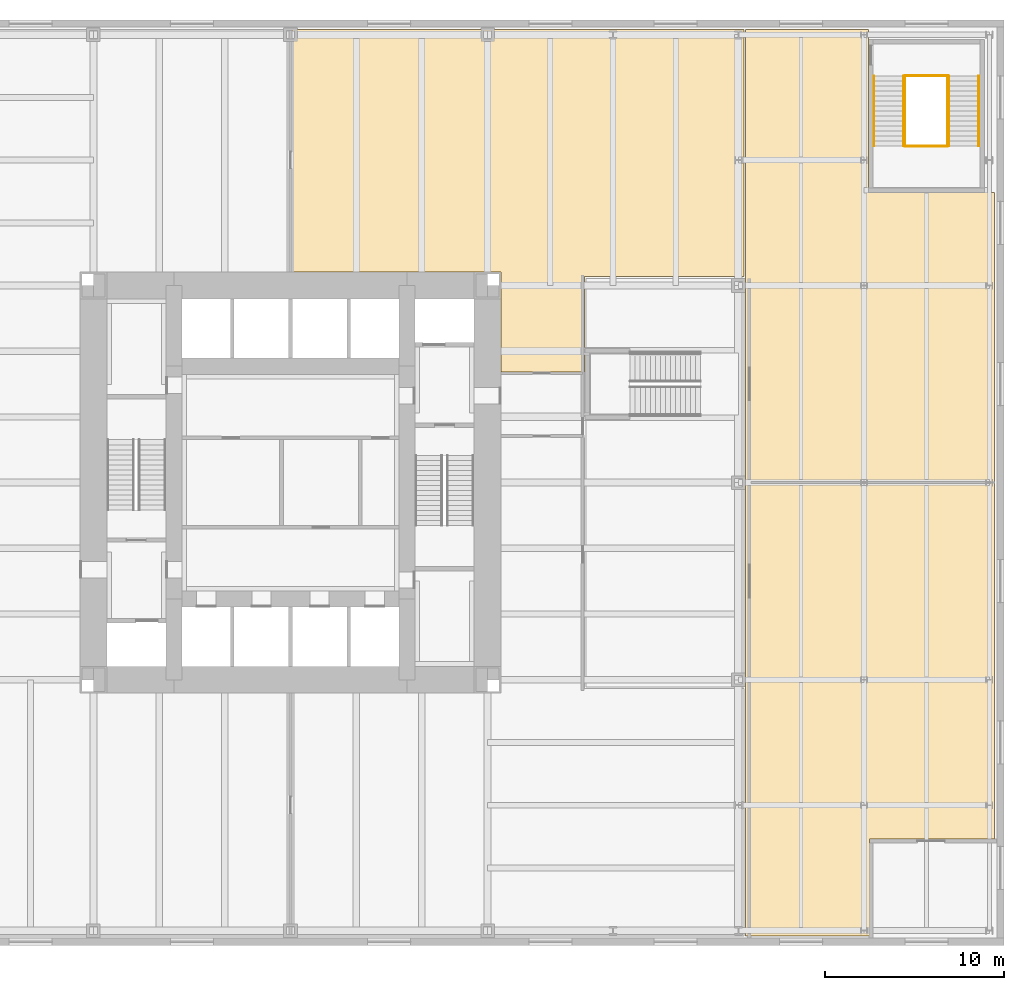
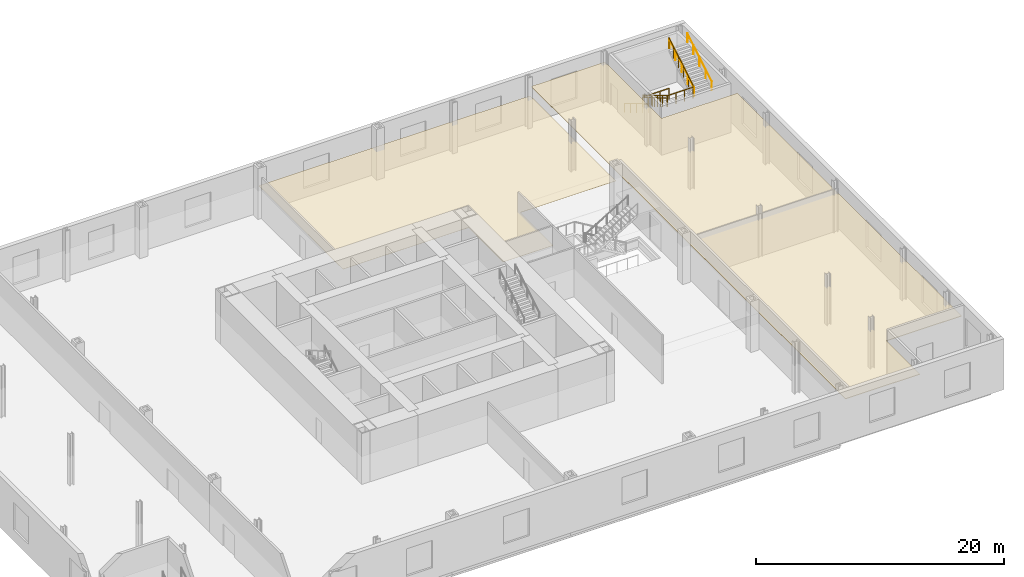
# One storey, part 13 of 13: 8 railings, 2 coverings.
"""IFC4 building model written with IfcOpenShell, lengths in metres."""

from ifc_helpers import new_model, si_unit, direction, frame, origin, origin_2d, place, context, subcontext, project, spatial, polyline, circle, outline, extrude, material, layer, layer_set, type_object, element, save


model = new_model("IFC4")

# Units and contexts
model_context = context("Model", 3, precision=1e-05, world=origin(), true_north=direction((0.0, 1.0)))
body_context = subcontext(model_context, "Body", "Model", "MODEL_VIEW")
ifc_project = project(units=[si_unit("LENGTHUNIT", "METRE"), si_unit("AREAUNIT", "SQUARE_METRE"), si_unit("VOLUMEUNIT", "CUBIC_METRE"), si_unit("PLANEANGLEUNIT", "RADIAN"), si_unit("MASSUNIT", "GRAM", prefix="KILO")], contexts=[model_context])

# Site, building, storey
site_placement = place(None, origin())
site = spatial("IfcSite", under=ifc_project, at=site_placement, CompositionType="ELEMENT")
building_placement = place(site_placement, origin())
building = spatial("IfcBuilding", under=site, at=building_placement, Name="Trevanion Tower", CompositionType="ELEMENT")
storey_placement = place(building_placement, frame((0.0, 0.0, 6.0)))
storey = spatial("IfcBuildingStorey", under=building, at=storey_placement, Name="L01", CompositionType="ELEMENT", Elevation=6.0)

# Coverings
ifc_material_1 = material(Name="Fibrous plaster coffers on suspended steel grid", Category="steel")
ifc_layer_1 = layer(ifc_material_1, 0.050048828125)
ifc_layer_set_1 = layer_set([ifc_layer_1], Name="CL1 coffered fibrous plaster ceiling 50")
covering_type_1 = type_object("IfcCoveringType", Name="CL1 coffered fibrous plaster ceiling 50", PredefinedType="CEILING", material=ifc_layer_set_1)
covering_1_placement = place(storey_placement, frame((0.0, 0.0, 3.60009765625)))
element("IfcCovering", 1, at=covering_1_placement, inside=storey, type_object=covering_type_1, Name="CL1 L01-CH", PredefinedType="CEILING", context=body_context, shape_type="SweptSolid", body=[
    extrude(outline(polyline([(25.39990234375, 25.300048828125), (32.25, 25.300048828125), (32.25, 16.18994140625), (39.300048828125, 16.18994140625), (39.300048828125, -19.89990234375), (32.300048828125, -19.89990234375), (32.300048828125, -25.300048828125), (25.39990234375, -25.300048828125), (25.39990234375, 25.300048828125)])), origin(), (0.0, 0.0, 1.0), 0.0498046875),
])
ifc_material_2 = material(Name="Mineral fibre acoustic tiles in exposed grid", Category="mineral fibre")
ifc_layer_2 = layer(ifc_material_2, 0.02001953125)
ifc_layer_set_2 = layer_set([ifc_layer_2], Name="CL2 acoustic tile ceiling 20")
covering_type_2 = type_object("IfcCoveringType", Name="CL2 acoustic tile ceiling 20", PredefinedType="CEILING", material=ifc_layer_set_2)
covering_2_placement = place(storey_placement, frame((0.0, 0.0, 2.75)))
element("IfcCovering", 2, at=covering_2_placement, inside=storey, type_object=covering_type_2, Name="CL2 L01-BC", PredefinedType="CEILING", context=body_context, shape_type="SweptSolid", body=[
    extrude(outline(polyline([(11.75, 6.175048828125), (11.75, 11.75), (0.074951171875, 11.75), (0.074951171875, 25.300048828125), (25.300048828125, 25.300048828125), (25.300048828125, 11.5), (16.39990234375, 11.5), (16.39990234375, 6.175048828125), (11.75, 6.175048828125)])), origin(), (0.0, 0.0, 1.0), 0.02001953125),
])

# Railings
ifc_material_3 = material(Name="Painted steel balusters and stainless steel top rail", Category="steel")
railing_type_1 = type_object("IfcRailingType", Name="GR1 stair guard 1100", PredefinedType="GUARDRAIL", material=ifc_material_3)
for number, where, name in (
    (3, (34.284912109375, 22.705078125, 0.0), "GR1 ST3 L01 floor landing well guard"),
    (4, (34.284912109375, 18.784912109375, 2.5), "GR1 ST3 L01 half landing well guard"),
):
    element("IfcRailing", number, at=place(storey_placement, frame(where)), inside=storey, type_object=railing_type_1, Name=name, PredefinedType="GUARDRAIL", context=body_context, shape_type="SweptSolid", body=[
        extrude(circle(Radius=0.02490234375, at=origin_2d()), frame((0.0, 0.0, 1.0751953125), z_axis=(1.0, 0.0, 0.0), x_axis=(0.0, 1.0, 0.0)), (0.0, 0.0, 1.0), 2.405029296875),
        extrude(circle(Radius=0.02001953125, at=origin_2d()), origin(), (0.0, 0.0, 1.0), 1.050048828125),
        extrude(circle(Radius=0.02001953125, at=origin_2d()), frame((0.8017578125, 0.0, 0.0)), (0.0, 0.0, 1.0), 1.050048828125),
        extrude(circle(Radius=0.02001953125, at=origin_2d()), frame((1.603271484375, 0.0, 0.0)), (0.0, 0.0, 1.0), 1.050048828125),
        extrude(circle(Radius=0.02001953125, at=origin_2d()), frame((2.405029296875, 0.0, 0.0)), (0.0, 0.0, 1.0), 1.050048828125),
    ])
railing_1_placement = place(storey_placement, frame((34.284912109375, 22.705078125, 0.166748046875)))
element("IfcRailing", 5, at=railing_1_placement, inside=storey, type_object=railing_type_1, Name="GR1 ST3 L01 flight 1 well guard", PredefinedType="GUARDRAIL", context=body_context, shape_type="SweptSolid", body=[
    extrude(circle(Radius=0.02490234375, at=origin_2d()), frame((0.0, 0.0, 1.0751953125), z_axis=(0.0, -0.859310244771, 0.511454693235), x_axis=(1.0, 0.0, 0.0)), (0.0, 0.0, 1.0), 4.56201171875),
    extrude(circle(Radius=0.02001953125, at=origin_2d()), origin(), (0.0, 0.0, 1.0), 1.050048828125),
    extrude(circle(Radius=0.02001953125, at=origin_2d()), frame((0.0, -0.783935546875, 0.466552734375)), (0.0, 0.0, 1.0), 1.050048828125),
    extrude(circle(Radius=0.02001953125, at=origin_2d()), frame((0.0, -1.568115234375, 0.933349609375)), (0.0, 0.0, 1.0), 1.050048828125),
    extrude(circle(Radius=0.02001953125, at=origin_2d()), frame((0.0, -2.35205078125, 1.39990234375)), (0.0, 0.0, 1.0), 1.050048828125),
    extrude(circle(Radius=0.02001953125, at=origin_2d()), frame((0.0, -3.13623046875, 1.86669921875)), (0.0, 0.0, 1.0), 1.050048828125),
    extrude(circle(Radius=0.02001953125, at=origin_2d()), frame((0.0, -3.920166015625, 2.333251953125)), (0.0, 0.0, 1.0), 1.050048828125),
])
railing_2_placement = place(storey_placement, frame((36.68994140625, 18.784912109375, 2.666748046875)))
element("IfcRailing", 6, at=railing_2_placement, inside=storey, type_object=railing_type_1, Name="GR1 ST3 L01 flight 2 well guard", PredefinedType="GUARDRAIL", context=body_context, shape_type="SweptSolid", body=[
    extrude(circle(Radius=0.02490234375, at=origin_2d()), frame((0.0, 0.0, 1.0751953125), z_axis=(0.0, 0.859310244771, 0.511454693235), x_axis=(-1.0, 0.0, 0.0)), (0.0, 0.0, 1.0), 4.56201171875),
    extrude(circle(Radius=0.02001953125, at=origin_2d()), origin(), (0.0, 0.0, 1.0), 1.050048828125),
    extrude(circle(Radius=0.02001953125, at=origin_2d()), frame((0.0, 0.783935546875, 0.466552734375)), (0.0, 0.0, 1.0), 1.050048828125),
    extrude(circle(Radius=0.02001953125, at=origin_2d()), frame((0.0, 1.568115234375, 0.933349609375)), (0.0, 0.0, 1.0), 1.050048828125),
    extrude(circle(Radius=0.02001953125, at=origin_2d()), frame((0.0, 2.35205078125, 1.39990234375)), (0.0, 0.0, 1.0), 1.050048828125),
    extrude(circle(Radius=0.02001953125, at=origin_2d()), frame((0.0, 3.13623046875, 1.86669921875)), (0.0, 0.0, 1.0), 1.050048828125),
    extrude(circle(Radius=0.02001953125, at=origin_2d()), frame((0.0, 3.920166015625, 2.333251953125)), (0.0, 0.0, 1.0), 1.050048828125),
])
ifc_material_4 = material(Name="Stainless steel tube 40 mm", Category="steel")
railing_type_2 = type_object("IfcRailingType", Name="HR1 handrail", PredefinedType="HANDRAIL", material=ifc_material_4)
for number, where, name in (
    (7, (32.56005859375, 22.705078125, 0.166748046875), "HR1 ST3 L01 flight 1"),
    (8, (34.22509765625, 22.705078125, 0.166748046875), "HR1 ST3 L01 flight 1"),
):
    element("IfcRailing", number, at=place(storey_placement, frame(where)), inside=storey, type_object=railing_type_2, Name=name, PredefinedType="HANDRAIL", context=body_context, shape_type="SweptSolid", body=[
        extrude(circle(Radius=0.02001953125, at=origin_2d()), frame((0.0, 0.0, 0.8798828125), z_axis=(0.0, -0.859310244771, 0.511454693235), x_axis=(1.0, 0.0, 0.0)), (0.0, 0.0, 1.0), 4.56201171875),
        extrude(circle(Radius=0.01513671875, at=origin_2d()), origin(), (0.0, 0.0, 1.0), 0.85986328125),
        extrude(circle(Radius=0.01513671875, at=origin_2d()), frame((0.0, -0.97998046875, 0.583251953125)), (0.0, 0.0, 1.0), 0.85986328125),
        extrude(circle(Radius=0.01513671875, at=origin_2d()), frame((0.0, -1.9599609375, 1.16650390625)), (0.0, 0.0, 1.0), 0.85986328125),
        extrude(circle(Radius=0.01513671875, at=origin_2d()), frame((0.0, -2.940185546875, 1.75)), (0.0, 0.0, 1.0), 0.85986328125),
        extrude(circle(Radius=0.01513671875, at=origin_2d()), frame((0.0, -3.920166015625, 2.333251953125)), (0.0, 0.0, 1.0), 0.85986328125),
    ])
for number, where, name in (
    (9, (36.75, 18.784912109375, 2.666748046875), "HR1 ST3 L01 flight 2"),
    (10, (38.4150390625, 18.784912109375, 2.666748046875), "HR1 ST3 L01 flight 2"),
):
    element("IfcRailing", number, at=place(storey_placement, frame(where)), inside=storey, type_object=railing_type_2, Name=name, PredefinedType="HANDRAIL", context=body_context, shape_type="SweptSolid", body=[
        extrude(circle(Radius=0.02001953125, at=origin_2d()), frame((0.0, 0.0, 0.8798828125), z_axis=(0.0, 0.859310244771, 0.511454693235), x_axis=(-1.0, 0.0, 0.0)), (0.0, 0.0, 1.0), 4.56201171875),
        extrude(circle(Radius=0.01513671875, at=origin_2d()), origin(), (0.0, 0.0, 1.0), 0.85986328125),
        extrude(circle(Radius=0.01513671875, at=origin_2d()), frame((0.0, 0.97998046875, 0.583251953125)), (0.0, 0.0, 1.0), 0.85986328125),
        extrude(circle(Radius=0.01513671875, at=origin_2d()), frame((0.0, 1.9599609375, 1.16650390625)), (0.0, 0.0, 1.0), 0.85986328125),
        extrude(circle(Radius=0.01513671875, at=origin_2d()), frame((0.0, 2.940185546875, 1.75)), (0.0, 0.0, 1.0), 0.85986328125),
        extrude(circle(Radius=0.01513671875, at=origin_2d()), frame((0.0, 3.920166015625, 2.333251953125)), (0.0, 0.0, 1.0), 0.85986328125),
    ])

save(model, "model.ifc")
